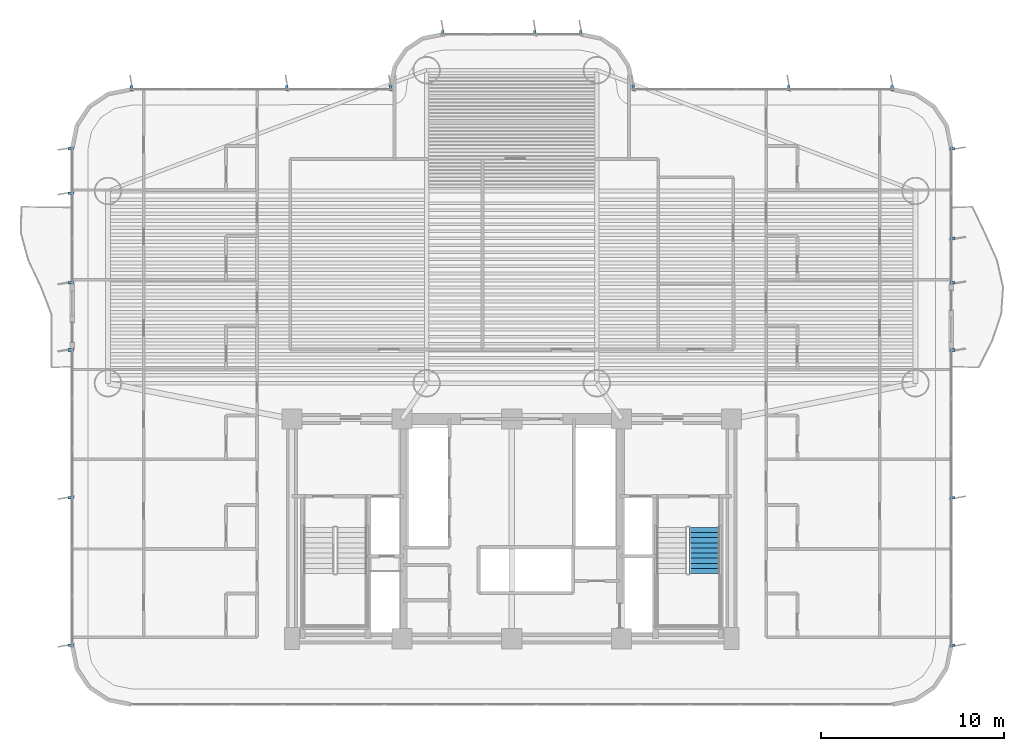
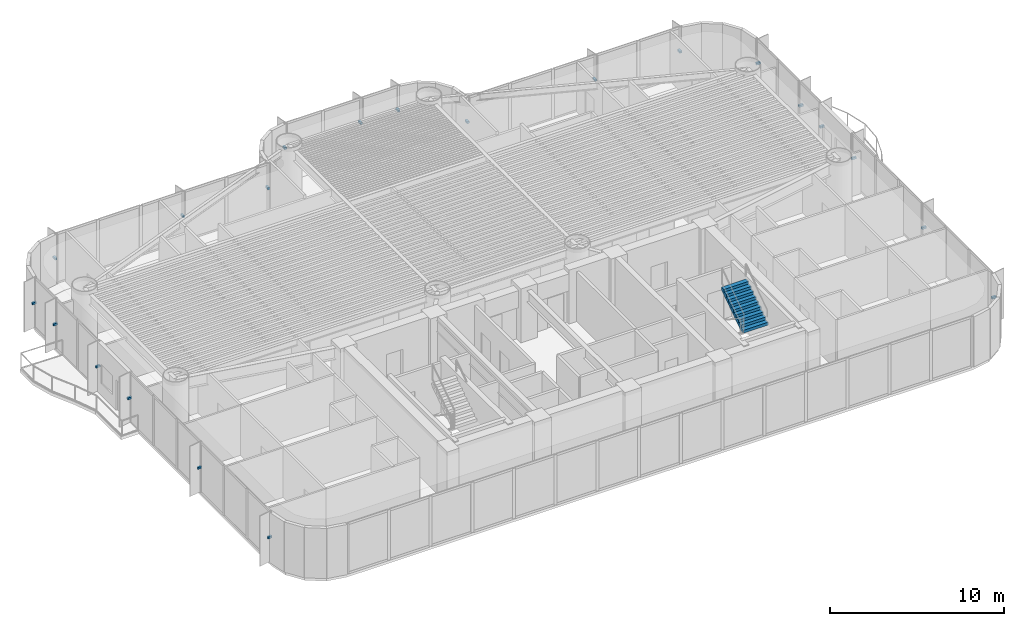
# One storey, part 15 of 19: 21 discrete accessories, 1 stair flight, 1 element without a shape of its own.
"""IFC4 building model written with IfcOpenShell, lengths in metres."""

import ifcopenshell
import ifcopenshell.guid

model = None  # the IFC model being written
_history = None  # IfcOwnerHistory: only IFC2X3 demands one
_inside = {}  # id of a spatial element -> (the spatial element, [elements in it])
_under = {}  # id of a project, library or spatial element -> (it, [spatial elements below it])
_declared = {}  # id of a project -> (the project, [libraries it declares])
_typed = {}  # id of a type object -> (the type object, [elements of that type])
_made_of = {}  # id of a material, layer set ... -> (it, [elements and type objects made of it])


def new_model(schema):
    """Start an empty IFC model of exactly this schema.

    Asked for "IFC4X3", IfcOpenShell would pick the latest addendum, in which some entities
    have other attributes; the version numbers below select the first issue.
    IFC2X3 requires an IfcOwnerHistory on every rooted entity: one is made here for all.
    """
    global model, _history
    if schema == "IFC4X3":
        model = ifcopenshell.file(schema_version=(4, 3, 0, 0))
    else:
        model = ifcopenshell.file(schema=schema)
    _inside.clear()
    _under.clear()
    _declared.clear()
    _typed.clear()
    _made_of.clear()
    _history = None
    if model.schema == "IFC2X3":
        org = make("IfcOrganization", Name="unknown")
        user = make(
            "IfcPersonAndOrganization",
            ThePerson=make("IfcPerson", FamilyName="unknown"),
            TheOrganization=org,
        )
        app = make(
            "IfcApplication",
            ApplicationDeveloper=org,
            Version="unknown",
            ApplicationFullName="unknown",
            ApplicationIdentifier="unknown",
        )
        _history = make(
            "IfcOwnerHistory",
            OwningUser=user,
            OwningApplication=app,
            ChangeAction="ADDED",
            CreationDate=0,
        )
    return model


def make(cls, **values):
    """One entity of the class cls with the attributes given. An attribute that is None is left unset."""
    return model.create_entity(
        cls, **{name: value for name, value in values.items() if value is not None}
    )


def rooted(cls, **values):
    """An entity with a GlobalId (a new one), such as an element, a storey or a relation."""
    return make(cls, GlobalId=ifcopenshell.guid.new(), OwnerHistory=_history, **values)


def si_unit(unit_type, name, prefix=None):
    """IfcSIUnit, for example si_unit("LENGTHUNIT", "METRE", prefix="MILLI")."""
    return make("IfcSIUnit", UnitType=unit_type, Prefix=prefix, Name=name)


def assignment(units):
    """IfcUnitAssignment: the units of a project."""
    return None if units is None else make("IfcUnitAssignment", Units=units)


def point(xyz):
    """IfcCartesianPoint."""
    return None if xyz is None else make("IfcCartesianPoint", Coordinates=xyz)


def direction(xyz):
    """IfcDirection."""
    return None if xyz is None else make("IfcDirection", DirectionRatios=xyz)


def frame(location, z_axis=None, x_axis=None):
    """IfcAxis2Placement3D, a coordinate frame: its origin and axes. An axis left out is left unset."""
    return make(
        "IfcAxis2Placement3D",
        Location=point(location),
        Axis=direction(z_axis),
        RefDirection=direction(x_axis),
    )


def frame_2d(location, x_axis=None):
    """IfcAxis2Placement2D, a coordinate frame in the plane: its origin and x axis."""
    return make(
        "IfcAxis2Placement2D", Location=point(location), RefDirection=direction(x_axis)
    )


def origin():
    """The frame at (0, 0, 0) with its axes left unset."""
    return frame((0.0, 0.0, 0.0))


def origin_2d():
    """The frame at (0, 0) in the plane with its x axis left unset."""
    return frame_2d((0.0, 0.0))


def place(relative_to, where):
    """IfcLocalPlacement: puts the frame where relative to a parent placement (None: the world)."""
    return make(
        "IfcLocalPlacement", PlacementRelTo=relative_to, RelativePlacement=where
    )


def context(
    kind, dimensions, precision=None, world=None, true_north=None, identifier=None
):
    """IfcGeometricRepresentationContext, for example the 3D "Model" context."""
    return make(
        "IfcGeometricRepresentationContext",
        ContextIdentifier=identifier,
        ContextType=kind,
        CoordinateSpaceDimension=dimensions,
        Precision=precision,
        WorldCoordinateSystem=world,
        TrueNorth=true_north,
    )


def subcontext(parent, identifier, kind, view, scale=None):
    """IfcGeometricRepresentationSubContext, for example "Body" below "Model"."""
    return make(
        "IfcGeometricRepresentationSubContext",
        ContextIdentifier=identifier,
        ContextType=kind,
        ParentContext=parent,
        TargetScale=scale,
        TargetView=view,
    )


def project(units=None, contexts=None):
    """IfcProject with its units and contexts."""
    return rooted(
        "IfcProject",
        Name="project",
        RepresentationContexts=contexts,
        UnitsInContext=assignment(units),
    )


def spatial(cls, under=None, at=None, **own):
    """A site, building, storey or space (cls), placed at a placement, below another one or the project."""
    s = rooted(cls, ObjectPlacement=at, **own)
    if under is not None:
        _under.setdefault(under.id(), (under, []))[1].append(s)
    return s


def polyline(points):
    """IfcPolyline through the points."""
    return make("IfcPolyline", Points=[point(p) for p in points])


def profile(cls, at=None, kind="AREA", **sizes):
    """A parametric profile (cls). Its sizes go by their IFC names, for example OverallWidth=200.0."""
    return make(cls, ProfileType=kind, Position=at, **sizes)


def rectangle(**sizes):
    """IfcRectangleProfileDef."""
    return profile("IfcRectangleProfileDef", **sizes)


def outline(outer, holes=None, kind="AREA"):
    """IfcArbitraryClosedProfileDef: a profile drawn as a closed curve; with holes, ...WithVoids."""
    if holes is None:
        return make("IfcArbitraryClosedProfileDef", ProfileType=kind, OuterCurve=outer)
    return make(
        "IfcArbitraryProfileDefWithVoids",
        ProfileType=kind,
        OuterCurve=outer,
        InnerCurves=holes,
    )


def extrude(swept, where, along, depth):
    """IfcExtrudedAreaSolid: the profile swept, set in the frame where, extruded along a direction by depth."""
    return make(
        "IfcExtrudedAreaSolid",
        SweptArea=swept,
        Position=where,
        ExtrudedDirection=direction(along),
        Depth=depth,
    )


def shape(context_of_items, identifier, shape_type, items):
    """IfcShapeRepresentation: the items that make up one representation, for example the "Body"."""
    return make(
        "IfcShapeRepresentation",
        ContextOfItems=context_of_items,
        RepresentationIdentifier=identifier,
        RepresentationType=shape_type,
        Items=items,
    )


def source(mapping_origin, context_of_items, identifier, shape_type, items):
    """IfcRepresentationMap: a shape defined once, which mapped items show again and again."""
    return make(
        "IfcRepresentationMap",
        MappingOrigin=mapping_origin,
        MappedRepresentation=shape(context_of_items, identifier, shape_type, items),
    )


def transform(
    local_origin,
    x_axis=None,
    y_axis=None,
    z_axis=None,
    scale=None,
    scale2=None,
    scale3=None,
    uniform=True,
):
    """IfcCartesianTransformationOperator3D, or its non-uniform kind. x_axis, y_axis, z_axis: its Axis1, 2, 3."""
    if uniform:
        return make(
            "IfcCartesianTransformationOperator3D",
            Axis1=direction(x_axis),
            Axis2=direction(y_axis),
            LocalOrigin=point(local_origin),
            Scale=scale,
            Axis3=direction(z_axis),
        )
    return make(
        "IfcCartesianTransformationOperator3DnonUniform",
        Axis1=direction(x_axis),
        Axis2=direction(y_axis),
        LocalOrigin=point(local_origin),
        Scale=scale,
        Axis3=direction(z_axis),
        Scale2=scale2,
        Scale3=scale3,
    )


def mapped(mapping_source, mapping_target):
    """IfcMappedItem: shows the shape of a source again, moved by a transform."""
    return make(
        "IfcMappedItem", MappingSource=mapping_source, MappingTarget=mapping_target
    )


def material(Name=None, Category=None):
    """IfcMaterial."""
    return make("IfcMaterial", Name=Name, Category=Category)


def made_of(thing, what):
    """Note that an element or type object is made of a material, layer set ...; save() writes the relation."""
    if what is not None:
        _made_of.setdefault(what.id(), (what, []))[1].append(thing)
    return thing


def type_object(cls, material=None, **own):
    """A type object (cls), such as IfcWallType, which elements share."""
    return made_of(rooted(cls, **own), material)


def element(
    cls,
    number,
    at=None,
    inside=None,
    cuts=None,
    type_object=None,
    material=None,
    context=None,
    identifier="Body",
    shape_type=None,
    held_by="IfcProductDefinitionShape",
    body=None,
    shapes=None,
    **own,
):
    """One element of the class cls, such as IfcWall. Its Tag is "e" and its number.

    at: its placement. inside: the storey or other place that contains it. cuts: it is an
    opening in that element (IfcRelVoidsElement). A single representation is given by context,
    identifier, shape_type and body (its items); several are given by shapes. held_by: the class
    of the entity that holds the representations. save() writes the other relations.
    """
    e = rooted(cls, Tag="e%d" % number, ObjectPlacement=at, **own)
    if body is not None:
        shapes = [shape(context, identifier, shape_type, body)]
    if shapes is not None:
        e.Representation = make(held_by, Representations=shapes)
    if inside is not None:
        _inside.setdefault(inside.id(), (inside, []))[1].append(e)
    if cuts is not None:
        rooted(
            "IfcRelVoidsElement", RelatingBuildingElement=cuts, RelatedOpeningElement=e
        )
    if type_object is not None:
        _typed.setdefault(type_object.id(), (type_object, []))[1].append(e)
    return made_of(e, material)


def aggregate(whole, parts):
    """IfcRelAggregates: a whole, such as a stair, and the parts it consists of."""
    return rooted("IfcRelAggregates", RelatingObject=whole, RelatedObjects=parts)


def save(model, path):
    """Write the relations noted so far, then the file.

    IfcRelAggregates (storeys below a building ...), IfcRelContainedInSpatialStructure (elements
    in a storey), IfcRelDefinesByType, IfcRelAssociatesMaterial and IfcRelDeclares: one each for
    every whole, place, type object, material and project.
    """
    for whole, parts in _under.values():
        aggregate(whole, parts)
    for where, things in _inside.values():
        rooted(
            "IfcRelContainedInSpatialStructure",
            RelatedElements=things,
            RelatingStructure=where,
        )
    for kind, things in _typed.values():
        rooted("IfcRelDefinesByType", RelatedObjects=things, RelatingType=kind)
    for what, things in _made_of.values():
        rooted("IfcRelAssociatesMaterial", RelatedObjects=things, RelatingMaterial=what)
    for by, libraries in _declared.values():
        rooted("IfcRelDeclares", RelatingContext=by, RelatedDefinitions=libraries)
    model.write(path)


model = new_model("IFC4")

# Units and contexts
model_context = context("Model", 3, precision=1e-05, world=origin(), true_north=direction((0.0, 1.0)))
body_context = subcontext(model_context, "Body", "Model", "MODEL_VIEW")
ifc_project = project(units=[si_unit("LENGTHUNIT", "METRE"), si_unit("AREAUNIT", "SQUARE_METRE"), si_unit("VOLUMEUNIT", "CUBIC_METRE"), si_unit("PLANEANGLEUNIT", "RADIAN"), si_unit("MASSUNIT", "GRAM", prefix="KILO")], contexts=[model_context])

# Site, building, storey
site_placement = place(None, origin())
site = spatial("IfcSite", under=ifc_project, at=site_placement, CompositionType="ELEMENT")
building_placement = place(site_placement, origin())
building = spatial("IfcBuilding", under=site, at=building_placement, Name="Brelvock Crest Care Tower", CompositionType="ELEMENT")
storey_placement = place(building_placement, frame((0.0, 0.0, 68.580078125)))
storey = spatial("IfcBuildingStorey", under=building, at=storey_placement, Name="L17", CompositionType="ELEMENT", Elevation=68.580078125)

# Stair, stair flight
ifc_material_1 = material(Name="Concrete N40 (40 MPa)", Category="concrete")
stair_type = type_object("IfcStairType", Name="ST-CORE1", PredefinedType="HALF_TURN_STAIR", material=ifc_material_1)
stair_placement = place(storey_placement, origin())
stair = element("IfcStair", 1, at=stair_placement, inside=storey, type_object=stair_type, Name="L17 Fire-Isolated Core Stair ST-2", PredefinedType="HALF_TURN_STAIR")
stair_flight_type = type_object("IfcStairFlightType", Name="STF-1", PredefinedType="STRAIGHT", material=ifc_material_1)
stair_flight_placement = place(storey_placement, frame((46.530029296875, 9.56005859375, 1.889892578125), z_axis=(0.0, 0.0, 1.0), x_axis=(0.0, 1.0, 0.0)))
stair_flight = element("IfcStairFlight", 2, at=stair_flight_placement, type_object=stair_flight_type, Name="ST-2 flight 2", NumberOfRisers=10, NumberOfTreads=9, PredefinedType="STRAIGHT", RiserHeight=0.189, TreadLength=0.28, context=body_context, shape_type="SweptSolid", body=[
    extrude(outline(polyline([(-0.00390625, -0.014892578125), (-0.00390625, -0.0078125), (-0.00390625, -0.00048828125), (-0.00390625, 0.0068359375), (-0.00390625, 0.01416015625), (-0.00390625, 0.021484375), (-0.00390625, 0.02880859375), (-0.00390625, 0.035888671875), (-0.00390625, 0.043212890625), (-0.00390625, 0.050537109375), (-0.00390625, 0.057861328125), (-0.00390625, 0.065185546875), (-0.00390625, 0.072509765625), (-0.00390625, 0.07958984375), (-0.00390625, 0.0869140625), (-0.00390625, 0.09423828125), (-0.00390625, 0.1015625), (-0.00390625, 0.10888671875), (-0.00390625, 0.1162109375), (-0.00390625, 0.12353515625), (-0.00390625, 0.130615234375), (-0.00390625, 0.137939453125), (-0.00390625, 0.145263671875), (-0.00390625, 0.152587890625), (-0.00390625, 0.159912109375), (-0.00390625, 0.167236328125), (-0.00390625, 0.17431640625), (-0.00390625, 0.181640625), (-0.00390625, 0.18896484375), (0.0, 0.18896484375), (0.280029296875, 0.18896484375), (0.280029296875, 0.3779296875), (0.56005859375, 0.3779296875), (0.56005859375, 0.56689453125), (0.840087890625, 0.56689453125), (0.840087890625, 0.756103515625), (1.1201171875, 0.756103515625), (1.1201171875, 0.945068359375), (1.39990234375, 0.945068359375), (1.39990234375, 1.134033203125), (1.679931640625, 1.134033203125), (1.679931640625, 1.322998046875), (1.9599609375, 1.322998046875), (1.9599609375, 1.511962890625), (2.239990234375, 1.511962890625), (2.239990234375, 1.700927734375), (2.52001953125, 1.700927734375), (2.52392578125, 1.700927734375), (2.523681640625, 1.70068359375), (2.52392578125, 1.700439453125), (2.523681640625, 1.699951171875), (2.52392578125, 1.69970703125), (2.523681640625, 1.699462890625), (2.52392578125, 1.698974609375), (2.523681640625, 1.69873046875), (2.52392578125, 1.698486328125), (2.523681640625, 1.697998046875), (2.52392578125, 1.69775390625), (2.523681640625, 1.697509765625), (2.52392578125, 1.697021484375), (2.523681640625, 1.69677734375), (2.52392578125, 1.696533203125), (2.523681640625, 1.6962890625), (2.52392578125, 1.69580078125), (2.523681640625, 1.695556640625), (2.52392578125, 1.6953125), (2.523681640625, 1.69482421875), (2.52392578125, 1.694580078125), (2.523681640625, 1.6943359375), (2.52392578125, 1.69384765625), (2.523681640625, 1.693603515625), (2.52392578125, 1.693359375), (2.523681640625, 1.69287109375), (2.52392578125, 1.692626953125), (2.523681640625, 1.6923828125), (2.52392578125, 1.69189453125), (2.52001953125, 1.520263671875), (0.267822265625, 0.0), (0.0, 0.0), (0.0, -0.014892578125), (-0.00390625, -0.014892578125)])), frame((0.0, 0.83984375, 0.0), z_axis=(0.0, -1.0, 0.0), x_axis=(1.0, 0.0, 0.0)), (0.0, 0.0, 1.0), 1.679931640625),
])
aggregate(stair, [stair_flight])

# Discrete accessories
ifc_material_2 = material(Name="Steel Grade 350", Category="steel")
discrete_accessory_type = type_object("IfcDiscreteAccessoryType", Name="ACC-BRK1", PredefinedType="BRACKET", material=ifc_material_2)
shared_shape = source(origin(), body_context, "Body", "SweptSolid", [
    extrude(rectangle(XDim=0.280029296875, YDim=0.139892578125, at=origin_2d()), origin(), (0.0, 0.0, 1.0), 0.139892578125),
])
for number, where, z_axis, x_axis, name in (
    (3, (60.080078125, 32.767578125, 1.69482421875), (0.0, 0.0, 1.0), (1.0, 0.0, 0.0), "L17 Facade Fin Bracket E03A-01"),
    (4, (60.080078125, 27.86669921875, 1.69482421875), (0.0, 0.0, 1.0), (1.0, 0.0, 0.0), "L17 Facade Fin Bracket E03A-03"),
    (5, (60.080078125, 25.4326171875, 1.69482421875), (0.0, 0.0, 1.0), (1.0, 0.0, 0.0), "L17 Facade Fin Bracket E03A-04"),
    (6, (60.080078125, 21.767578125, 1.69482421875), (0.0, 0.0, 1.0), (1.0, 0.0, 0.0), "L17 Facade Fin Bracket E03B-01"),
    (7, (60.080078125, 13.699951171875, 1.69482421875), (0.0, 0.0, 1.0), (1.0, 0.0, 0.0), "L17 Facade Fin Bracket E03B-04"),
    (8, (60.080078125, 5.632568359375, 1.69482421875), (0.0, 0.0, 1.0), (1.0, 0.0, 0.0), "L17 Facade Fin Bracket E03B-07"),
    (9, (11.919921875, 5.632568359375, 1.69482421875), (0.0, 0.0, 1.0), (-1.0, 0.0, 0.0), "L17 Facade Fin Bracket E13A-01"),
    (10, (11.919921875, 13.699951171875, 1.69482421875), (0.0, 0.0, 1.0), (-1.0, 0.0, 0.0), "L17 Facade Fin Bracket E13A-04"),
    (11, (11.919921875, 21.767578125, 1.69482421875), (0.0, 0.0, 1.0), (-1.0, 0.0, 0.0), "L17 Facade Fin Bracket E13A-07"),
    (12, (11.919921875, 25.4326171875, 1.69482421875), (0.0, 0.0, 1.0), (-1.0, 0.0, 0.0), "L17 Facade Fin Bracket E13B-01"),
    (13, (11.919921875, 30.333251953125, 1.69482421875), (0.0, 0.0, 1.0), (-1.0, 0.0, 0.0), "L17 Facade Fin Bracket E13B-03"),
    (14, (11.919921875, 32.767578125, 1.69482421875), (0.0, 0.0, 1.0), (-1.0, 0.0, 0.0), "L17 Facade Fin Bracket E13B-04"),
    (15, (15.232421875, 36.080078125, 1.69482421875), (0.0, 0.0, 1.0), (0.0, 1.0, 0.0), "L17 Facade Fin Bracket E18-01"),
    (16, (23.719970703125, 36.080078125, 1.69482421875), (0.0, 0.0, 1.0), (0.0, 1.0, 0.0), "L17 Facade Fin Bracket E18-04"),
    (17, (29.367431640625, 36.080078125, 1.69482421875), (0.0, 0.0, 1.0), (0.0, 1.0, 0.0), "L17 Facade Fin Bracket E18-06"),
    (18, (32.232421875, 39.080078125, 1.69482421875), (0.0, 0.0, 1.0), (0.0, 1.0, 0.0), "L17 Facade Fin Bracket E24-01"),
    (19, (37.2666015625, 39.080078125, 1.69482421875), (0.0, 0.0, 1.0), (0.0, 1.0, 0.0), "L17 Facade Fin Bracket E24-03"),
    (20, (39.767578125, 39.080078125, 1.69482421875), (0.0, 0.0, 1.0), (0.0, 1.0, 0.0), "L17 Facade Fin Bracket E24-04"),
    (21, (42.632568359375, 36.080078125, 1.69482421875), (0.0, 0.0, 1.0), (0.0, 1.0, 0.0), "L17 Facade Fin Bracket E30-01"),
    (22, (51.1201171875, 36.080078125, 1.69482421875), (0.0, 0.0, 1.0), (0.0, 1.0, 0.0), "L17 Facade Fin Bracket E30-04"),
    (23, (56.767578125, 36.080078125, 1.69482421875), (0.0, 0.0, 1.0), (0.0, 1.0, 0.0), "L17 Facade Fin Bracket E30-06"),
):
    element("IfcDiscreteAccessory", number, at=place(storey_placement, frame(where, z_axis=z_axis, x_axis=x_axis)), inside=storey, type_object=discrete_accessory_type, Name=name, PredefinedType="BRACKET", context=body_context, shape_type="MappedRepresentation", body=[
        mapped(shared_shape, transform((0.0, 0.0, 0.0), x_axis=(1.0, 0.0, 0.0), y_axis=(0.0, 1.0, 0.0), z_axis=(0.0, 0.0, 1.0), scale=1.0)),
    ])

save(model, "model.ifc")
